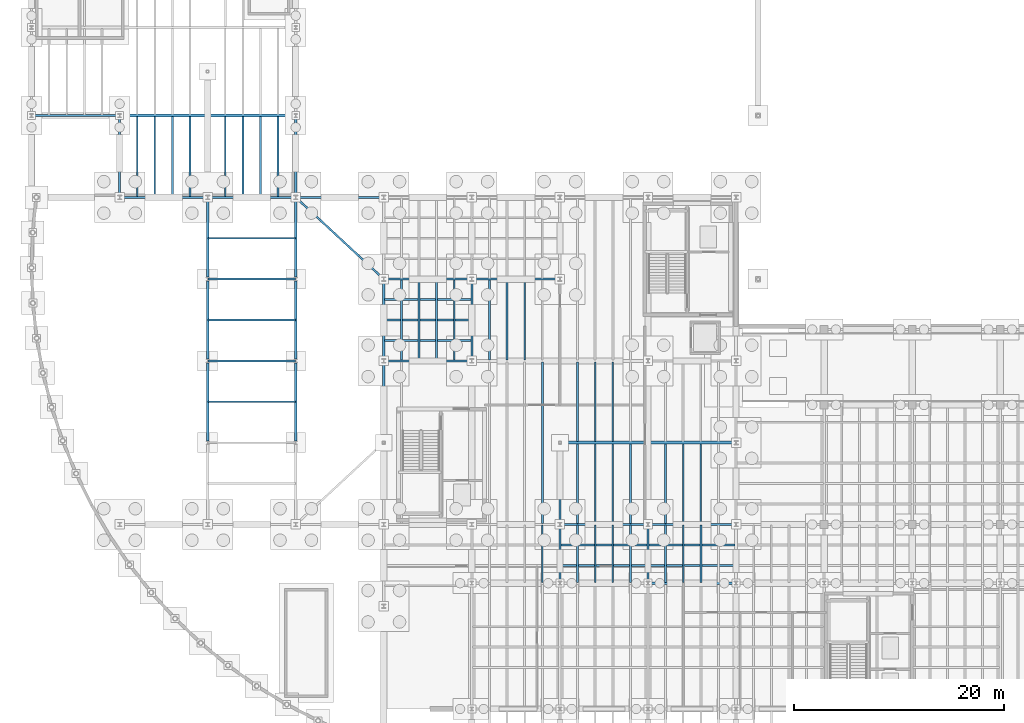
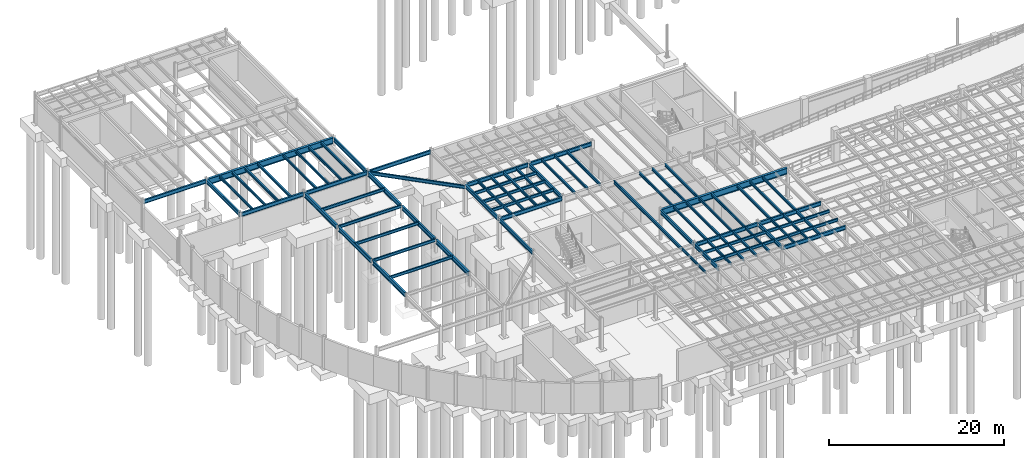
# One storey, part 25 of 41: 73 beams.
"""IFC4 building model written with IfcOpenShell, lengths in metres."""

from ifc_helpers import new_model, si_unit, direction, frame, origin, origin_2d, place, context, subcontext, project, spatial, i_section, extrude, material, material_profile, profile_set, type_object, element, save


model = new_model("IFC4")

# Units and contexts
model_context = context("Model", 3, precision=1e-05, world=origin(), true_north=direction((0.0, 1.0)))
body_context = subcontext(model_context, "Body", "Model", "MODEL_VIEW")
ifc_project = project(units=[si_unit("LENGTHUNIT", "METRE"), si_unit("AREAUNIT", "SQUARE_METRE"), si_unit("VOLUMEUNIT", "CUBIC_METRE"), si_unit("PLANEANGLEUNIT", "RADIAN"), si_unit("MASSUNIT", "GRAM", prefix="KILO")], contexts=[model_context])

# Site, building, storey
site_placement = place(None, origin())
site = spatial("IfcSite", under=ifc_project, at=site_placement, CompositionType="ELEMENT")
building_placement = place(site_placement, origin())
building = spatial("IfcBuilding", under=site, at=building_placement, Name="Selat Folded Stagehouse", CompositionType="ELEMENT")
storey_placement = place(building_placement, frame((0.0, 0.0, -4.5)))
storey = spatial("IfcBuildingStorey", under=building, at=storey_placement, Name="B1", CompositionType="ELEMENT", Elevation=-4.5)

# Beams
ifc_material = material(Name="Steel S355", Category="steel")
ifc_material_profile_1 = material_profile(ifc_material, i_section(OverallWidth=0.210693359375, OverallDepth=0.53955078125, WebThickness=0.01171875, FlangeThickness=0.018798828125, FilletRadius=0.0126953125, at=origin_2d()), Name="UKB 533x210x109")
ifc_profile_set_1 = profile_set([ifc_material_profile_1], Name="Steel S355")
beam_type_1 = type_object("IfcBeamType", Name="BM-GIRD-533x210x109", PredefinedType="BEAM", material=ifc_profile_set_1)
for number, where, z_axis, x_axis, name in (
    (1, (8.39990234375, 54.679931640625, 3.97021484375), (0.0, 1.0, 0.0), (-1.0, 0.0, 0.0), "B1 primary y-girder 0085"),
    (2, (25.199951171875, 54.679931640625, 3.97021484375), (0.0, 1.0, 0.0), (-1.0, 0.0, 0.0), "B1 primary y-girder 0087"),
):
    element("IfcBeam", number, at=place(storey_placement, frame(where, z_axis=z_axis, x_axis=x_axis)), inside=storey, type_object=beam_type_1, Name=name, PredefinedType="BEAM", context=body_context, shape_type="SweptSolid", body=[
        extrude(i_section(OverallWidth=0.210693359375, OverallDepth=0.53955078125, WebThickness=0.01171875, FlangeThickness=0.018798828125, FilletRadius=0.0126953125, at=origin_2d()), origin(), (0.0, 0.0, 1.0), 7.64013671875),
    ])
beam_1_placement = place(storey_placement, frame((33.60009765625, 31.27490234375, 3.9501953125), z_axis=(0.0, 1.0, 0.0), x_axis=(-1.0, 0.0, 0.0)))
element("IfcBeam", 3, at=beam_1_placement, inside=storey, type_object=beam_type_1, Name="B1 primary y-girder 0093", PredefinedType="BEAM", context=body_context, shape_type="SweptSolid", body=[
    extrude(i_section(OverallWidth=0.210693359375, OverallDepth=0.53955078125, WebThickness=0.01171875, FlangeThickness=0.018798828125, FilletRadius=0.0126953125, at=origin_2d()), origin(), (0.0, 0.0, 1.0), 7.64501953125),
])
for number, where, z_axis, x_axis, name in (
    (4, (33.60009765625, 39.080078125, 3.9501953125), (0.0, 1.0, 0.0), (-1.0, 0.0, 0.0), "B1 primary y-girder 0094"),
    (5, (42.0, 39.080078125, 3.9501953125), (0.0, 1.0, 0.0), (-1.0, 0.0, 0.0), "B1 primary y-girder 0099"),
):
    element("IfcBeam", number, at=place(storey_placement, frame(where, z_axis=z_axis, x_axis=x_axis)), inside=storey, type_object=beam_type_1, Name=name, PredefinedType="BEAM", context=body_context, shape_type="SweptSolid", body=[
        extrude(i_section(OverallWidth=0.210693359375, OverallDepth=0.53955078125, WebThickness=0.01171875, FlangeThickness=0.018798828125, FilletRadius=0.0126953125, at=origin_2d()), origin(), (0.0, 0.0, 1.0), 7.639892578125),
    ])
beam_2_placement = place(storey_placement, frame((50.39990234375, 17.8798828125, 3.980224609375), z_axis=(0.0, 1.0, 0.0), x_axis=(-1.0, 0.0, 0.0)))
element("IfcBeam", 6, at=beam_2_placement, inside=storey, type_object=beam_type_1, Name="B1 primary y-girder 0103", PredefinedType="BEAM", context=body_context, shape_type="SweptSolid", body=[
    extrude(i_section(OverallWidth=0.210693359375, OverallDepth=0.53955078125, WebThickness=0.01171875, FlangeThickness=0.018798828125, FilletRadius=0.0126953125, at=origin_2d()), origin(), (0.0, 0.0, 1.0), 5.440185546875),
])
beam_3_placement = place(storey_placement, frame((50.39990234375, 23.47998046875, 3.9501953125), z_axis=(0.0, 1.0, 0.0), x_axis=(-1.0, 0.0, 0.0)))
element("IfcBeam", 7, at=beam_3_placement, inside=storey, type_object=beam_type_1, Name="B1 primary y-girder 0104", PredefinedType="BEAM", context=body_context, shape_type="SweptSolid", body=[
    extrude(i_section(OverallWidth=0.210693359375, OverallDepth=0.53955078125, WebThickness=0.01171875, FlangeThickness=0.018798828125, FilletRadius=0.0126953125, at=origin_2d()), origin(), (0.0, 0.0, 1.0), 7.64501953125),
])
beam_4_placement = place(storey_placement, frame((58.800048828125, 17.8798828125, 3.980224609375), z_axis=(0.0, 1.0, 0.0), x_axis=(-1.0, 0.0, 0.0)))
element("IfcBeam", 8, at=beam_4_placement, inside=storey, type_object=beam_type_1, Name="B1 primary y-girder 0108", PredefinedType="BEAM", context=body_context, shape_type="SweptSolid", body=[
    extrude(i_section(OverallWidth=0.210693359375, OverallDepth=0.53955078125, WebThickness=0.01171875, FlangeThickness=0.018798828125, FilletRadius=0.0126953125, at=origin_2d()), origin(), (0.0, 0.0, 1.0), 5.440185546875),
])
ifc_material_profile_2 = material_profile(ifc_material, i_section(OverallWidth=0.209228515625, OverallDepth=0.533203125, WebThickness=0.010009765625, FlangeThickness=0.015625, FilletRadius=0.0126953125, at=origin_2d()), Name="UKB 533x210x92")
ifc_profile_set_2 = profile_set([ifc_material_profile_2], Name="Steel S355")
beam_type_2 = type_object("IfcBeamType", Name="BM-GIRD-533x210x92", PredefinedType="BEAM", material=ifc_profile_set_2)
beam_5_placement = place(storey_placement, frame((58.8798828125, 17.800048828125, 3.9833984375), z_axis=(1.0, 0.0, 0.0), x_axis=(0.0, 1.0, 0.0)))
element("IfcBeam", 9, at=beam_5_placement, inside=storey, type_object=beam_type_2, Name="B1 primary x-girder 0026", PredefinedType="BEAM", context=body_context, shape_type="SweptSolid", body=[
    extrude(i_section(OverallWidth=0.209228515625, OverallDepth=0.533203125, WebThickness=0.010009765625, FlangeThickness=0.015625, FilletRadius=0.0126953125, at=origin_2d()), origin(), (0.0, 0.0, 1.0), 8.240234375),
])
beam_6_placement = place(storey_placement, frame((50.47998046875, 23.39990234375, 3.953369140625), z_axis=(1.0, 0.0, 0.0), x_axis=(0.0, 1.0, 0.0)))
element("IfcBeam", 10, at=beam_6_placement, inside=storey, type_object=beam_type_2, Name="B1 primary x-girder 0038", PredefinedType="BEAM", context=body_context, shape_type="SweptSolid", body=[
    extrude(i_section(OverallWidth=0.209228515625, OverallDepth=0.533203125, WebThickness=0.010009765625, FlangeThickness=0.015625, FilletRadius=0.0126953125, at=origin_2d()), origin(), (0.0, 0.0, 1.0), 8.239990234375),
])
beam_7_placement = place(storey_placement, frame((58.8798828125, 23.39990234375, 3.953369140625), z_axis=(1.0, 0.0, 0.0), x_axis=(0.0, 1.0, 0.0)))
element("IfcBeam", 11, at=beam_7_placement, inside=storey, type_object=beam_type_2, Name="B1 primary x-girder 0039", PredefinedType="BEAM", context=body_context, shape_type="SweptSolid", body=[
    extrude(i_section(OverallWidth=0.209228515625, OverallDepth=0.533203125, WebThickness=0.010009765625, FlangeThickness=0.015625, FilletRadius=0.0126953125, at=origin_2d()), origin(), (0.0, 0.0, 1.0), 8.240234375),
])
for number, where, z_axis, x_axis, name in (
    (12, (33.679931640625, 39.0, 3.953369140625), (1.0, 0.0, 0.0), (0.0, 1.0, 0.0), "B1 primary x-girder 0058"),
    (13, (33.679931640625, 46.800048828125, 3.953369140625), (1.0, 0.0, 0.0), (0.0, 1.0, 0.0), "B1 primary x-girder 0066"),
    (14, (42.080078125, 46.800048828125, 3.953369140625), (1.0, 0.0, 0.0), (0.0, 1.0, 0.0), "B1 primary x-girder 0067"),
    (15, (8.47998046875, 54.60009765625, 3.973388671875), (1.0, 0.0, 0.0), (0.0, 1.0, 0.0), "B1 primary x-girder 0068"),
):
    element("IfcBeam", number, at=place(storey_placement, frame(where, z_axis=z_axis, x_axis=x_axis)), inside=storey, type_object=beam_type_2, Name=name, PredefinedType="BEAM", context=body_context, shape_type="SweptSolid", body=[
        extrude(i_section(OverallWidth=0.209228515625, OverallDepth=0.533203125, WebThickness=0.010009765625, FlangeThickness=0.015625, FilletRadius=0.0126953125, at=origin_2d()), origin(), (0.0, 0.0, 1.0), 8.239990234375),
    ])
beam_8_placement = place(storey_placement, frame((16.8798828125, 54.60009765625, 3.973388671875), z_axis=(1.0, 0.0, 0.0), x_axis=(0.0, 1.0, 0.0)))
element("IfcBeam", 16, at=beam_8_placement, inside=storey, type_object=beam_type_2, Name="B1 primary x-girder 0069", PredefinedType="BEAM", context=body_context, shape_type="SweptSolid", body=[
    extrude(i_section(OverallWidth=0.209228515625, OverallDepth=0.533203125, WebThickness=0.010009765625, FlangeThickness=0.015625, FilletRadius=0.0126953125, at=origin_2d()), origin(), (0.0, 0.0, 1.0), 8.240234375),
])
for number, where, z_axis, x_axis, name in (
    (17, (25.280029296875, 54.60009765625, 3.9833984375), (1.0, 0.0, 0.0), (0.0, 1.0, 0.0), "B1 primary x-girder 0070"),
    (18, (0.080078125, 62.39990234375, 3.973388671875), (1.0, 0.0, 0.0), (0.0, 1.0, 0.0), "B1 primary x-girder 0075"),
):
    element("IfcBeam", number, at=place(storey_placement, frame(where, z_axis=z_axis, x_axis=x_axis)), inside=storey, type_object=beam_type_2, Name=name, PredefinedType="BEAM", context=body_context, shape_type="SweptSolid", body=[
        extrude(i_section(OverallWidth=0.209228515625, OverallDepth=0.533203125, WebThickness=0.010009765625, FlangeThickness=0.015625, FilletRadius=0.0126953125, at=origin_2d()), origin(), (0.0, 0.0, 1.0), 8.239990234375),
    ])
ifc_material_profile_3 = material_profile(ifc_material, i_section(OverallWidth=0.230224609375, OverallDepth=0.6171875, WebThickness=0.01318359375, FlangeThickness=0.022216796875, FilletRadius=0.0126953125, at=origin_2d()), Name="UKB 610x229x140")
ifc_profile_set_3 = profile_set([ifc_material_profile_3], Name="Steel S355")
beam_type_3 = type_object("IfcBeamType", Name="BM-GIRD-610x229x140", PredefinedType="BEAM", material=ifc_profile_set_3)
for number, where, z_axis, x_axis, name in (
    (19, (16.800048828125, 31.3798828125, 3.94140625), (0.0, 1.0, 0.0), (-1.0, 0.0, 0.0), "B1 V1 sub-tier girder 168-312"),
    (20, (16.800048828125, 39.179931640625, 3.94140625), (0.0, 1.0, 0.0), (-1.0, 0.0, 0.0), "B1 V1 sub-tier girder 168-390"),
):
    element("IfcBeam", number, at=place(storey_placement, frame(where, z_axis=z_axis, x_axis=x_axis)), inside=storey, type_object=beam_type_3, Name=name, PredefinedType="BEAM", context=body_context, shape_type="SweptSolid", body=[
        extrude(i_section(OverallWidth=0.230224609375, OverallDepth=0.6171875, WebThickness=0.01318359375, FlangeThickness=0.022216796875, FilletRadius=0.0126953125, at=origin_2d()), origin(), (0.0, 0.0, 1.0), 7.440185546875),
    ])
beam_9_placement = place(storey_placement, frame((16.800048828125, 46.97998046875, 3.94140625), z_axis=(0.0, 1.0, 0.0), x_axis=(-1.0, 0.0, 0.0)))
element("IfcBeam", 21, at=beam_9_placement, inside=storey, type_object=beam_type_3, Name="B1 V1 sub-tier girder 168-468", PredefinedType="BEAM", context=body_context, shape_type="SweptSolid", body=[
    extrude(i_section(OverallWidth=0.230224609375, OverallDepth=0.6171875, WebThickness=0.01318359375, FlangeThickness=0.022216796875, FilletRadius=0.0126953125, at=origin_2d()), origin(), (0.0, 0.0, 1.0), 7.43994140625),
])
for number, where, z_axis, x_axis, name in (
    (22, (25.199951171875, 31.3798828125, 3.94140625), (0.0, 1.0, 0.0), (-1.0, 0.0, 0.0), "B1 V1 sub-tier girder 252-312"),
    (23, (25.199951171875, 39.179931640625, 3.94140625), (0.0, 1.0, 0.0), (-1.0, 0.0, 0.0), "B1 V1 sub-tier girder 252-390"),
):
    element("IfcBeam", number, at=place(storey_placement, frame(where, z_axis=z_axis, x_axis=x_axis)), inside=storey, type_object=beam_type_3, Name=name, PredefinedType="BEAM", context=body_context, shape_type="SweptSolid", body=[
        extrude(i_section(OverallWidth=0.230224609375, OverallDepth=0.6171875, WebThickness=0.01318359375, FlangeThickness=0.022216796875, FilletRadius=0.0126953125, at=origin_2d()), origin(), (0.0, 0.0, 1.0), 7.440185546875),
    ])
beam_10_placement = place(storey_placement, frame((25.199951171875, 46.97998046875, 3.94140625), z_axis=(0.0, 1.0, 0.0), x_axis=(-1.0, 0.0, 0.0)))
element("IfcBeam", 24, at=beam_10_placement, inside=storey, type_object=beam_type_3, Name="B1 V1 sub-tier girder 252-468", PredefinedType="BEAM", context=body_context, shape_type="SweptSolid", body=[
    extrude(i_section(OverallWidth=0.230224609375, OverallDepth=0.6171875, WebThickness=0.01318359375, FlangeThickness=0.022216796875, FilletRadius=0.0126953125, at=origin_2d()), origin(), (0.0, 0.0, 1.0), 7.43994140625),
])
ifc_material_profile_4 = material_profile(ifc_material, i_section(OverallWidth=0.293701171875, OverallDepth=0.850830078125, WebThickness=0.01611328125, FlangeThickness=0.02685546875, FilletRadius=0.017822265625, at=origin_2d()), Name="UKB 838x292x226")
ifc_profile_set_4 = profile_set([ifc_material_profile_4], Name="Steel S355")
beam_type_4 = type_object("IfcBeamType", Name="BM-LONG-838x292x226", PredefinedType="BEAM", material=ifc_profile_set_4)
beam_11_placement = place(storey_placement, frame((50.47509765625, 31.199951171875, 3.79443359375), z_axis=(1.0, 0.0, 0.0), x_axis=(0.0, 1.0, 0.0)))
element("IfcBeam", 25, at=beam_11_placement, inside=storey, type_object=beam_type_4, Name="B1 primary x-girder 0049", PredefinedType="BEAM", context=body_context, shape_type="SweptSolid", body=[
    extrude(i_section(OverallWidth=0.293701171875, OverallDepth=0.850830078125, WebThickness=0.01611328125, FlangeThickness=0.02685546875, FilletRadius=0.017822265625, at=origin_2d()), origin(), (0.0, 0.0, 1.0), 16.64501953125),
])
beam_12_placement = place(storey_placement, frame((8.47998046875, 62.39990234375, 3.814453125), z_axis=(1.0, 0.0, 0.0), x_axis=(0.0, 1.0, 0.0)))
element("IfcBeam", 26, at=beam_12_placement, inside=storey, type_object=beam_type_4, Name="B1 primary x-girder 0076", PredefinedType="BEAM", context=body_context, shape_type="SweptSolid", body=[
    extrude(i_section(OverallWidth=0.293701171875, OverallDepth=0.850830078125, WebThickness=0.01611328125, FlangeThickness=0.02685546875, FilletRadius=0.017822265625, at=origin_2d()), origin(), (0.0, 0.0, 1.0), 16.64013671875),
])
ifc_material_profile_5 = material_profile(ifc_material, i_section(OverallWidth=0.19140625, OverallDepth=0.4599609375, WebThickness=0.010009765625, FlangeThickness=0.01611328125, FilletRadius=0.01025390625, at=origin_2d()), Name="UKB 457x191x82")
ifc_profile_set_5 = profile_set([ifc_material_profile_5], Name="Steel S355")
beam_type_5 = type_object("IfcBeamType", Name="BM-RAKER-457x191x82", PredefinedType="BEAM", material=ifc_profile_set_5)
beam_13_placement = place(storey_placement, frame((33.60009765625, 46.800048828125, 3.75), z_axis=(-0.732649850048, 0.680310113035, 0.020058597342), x_axis=(-0.680447014825, -0.732797284394, 0.0)))
element("IfcBeam", 27, at=beam_13_placement, inside=storey, type_object=beam_type_5, Name="B1 stalls radial raker beam N", PredefinedType="BEAM", context=body_context, shape_type="SweptSolid", body=[
    extrude(i_section(OverallWidth=0.19140625, OverallDepth=0.4599609375, WebThickness=0.010009765625, FlangeThickness=0.01611328125, FilletRadius=0.01025390625, at=origin_2d()), origin(), (0.0, 0.0, 1.0), 11.46533203125),
])
ifc_material_profile_6 = material_profile(ifc_material, i_section(OverallWidth=0.17138671875, OverallDepth=0.35498046875, WebThickness=0.00732421875, FlangeThickness=0.011474609375, FilletRadius=0.01025390625, at=origin_2d()), Name="UKB 356x171x51")
ifc_profile_set_6 = profile_set([ifc_material_profile_6], Name="Steel S355")
beam_type_6 = type_object("IfcBeamType", Name="JST-356x171x51", PredefinedType="JOIST", material=ifc_profile_set_6)
for number, where, z_axis, x_axis, name in (
    (28, (10.080078125, 54.67333984375, 4.0625), (0.0, 1.0, 0.0), (-1.0, 0.0, 0.0), "B1 secondary floor joist 0160"),
    (29, (11.760009765625, 54.67333984375, 4.0625), (0.0, 1.0, 0.0), (-1.0, 0.0, 0.0), "B1 secondary floor joist 0163"),
    (30, (13.43994140625, 54.67333984375, 4.0625), (0.0, 1.0, 0.0), (-1.0, 0.0, 0.0), "B1 secondary floor joist 0166"),
    (31, (15.1201171875, 54.67333984375, 4.0625), (0.0, 1.0, 0.0), (-1.0, 0.0, 0.0), "B1 secondary floor joist 0169"),
    (32, (18.47998046875, 54.67333984375, 4.0625), (0.0, 1.0, 0.0), (-1.0, 0.0, 0.0), "B1 secondary floor joist 0172"),
    (33, (20.159912109375, 54.67333984375, 4.0625), (0.0, 1.0, 0.0), (-1.0, 0.0, 0.0), "B1 secondary floor joist 0176"),
    (34, (21.840087890625, 54.67333984375, 4.0625), (0.0, 1.0, 0.0), (-1.0, 0.0, 0.0), "B1 secondary floor joist 0180"),
    (35, (23.52001953125, 54.67333984375, 4.0625), (0.0, 1.0, 0.0), (-1.0, 0.0, 0.0), "B1 secondary floor joist 0183"),
):
    element("IfcBeam", number, at=place(storey_placement, frame(where, z_axis=z_axis, x_axis=x_axis)), inside=storey, type_object=beam_type_6, Name=name, PredefinedType="JOIST", context=body_context, shape_type="SweptSolid", body=[
        extrude(i_section(OverallWidth=0.17138671875, OverallDepth=0.35498046875, WebThickness=0.00732421875, FlangeThickness=0.011474609375, FilletRadius=0.01025390625, at=origin_2d()), origin(), (0.0, 0.0, 1.0), 7.623779296875),
    ])
beam_14_placement = place(storey_placement, frame((40.320068359375, 39.0732421875, 4.04248046875), z_axis=(0.0, 1.0, 0.0), x_axis=(-1.0, 0.0, 0.0)))
element("IfcBeam", 36, at=beam_14_placement, inside=storey, type_object=beam_type_6, Name="B1 secondary floor joist 0193", PredefinedType="JOIST", context=body_context, shape_type="SweptSolid", body=[
    extrude(i_section(OverallWidth=0.17138671875, OverallDepth=0.35498046875, WebThickness=0.00732421875, FlangeThickness=0.011474609375, FilletRadius=0.01025390625, at=origin_2d()), origin(), (0.0, 0.0, 1.0), 7.653564453125),
])
for number, where, z_axis, x_axis, name in (
    (37, (43.679931640625, 39.102783203125, 4.04248046875), (0.0, 1.0, 0.0), (-1.0, 0.0, 0.0), "B1 secondary floor joist 0199"),
    (38, (45.360107421875, 39.102783203125, 4.04248046875), (0.0, 1.0, 0.0), (-1.0, 0.0, 0.0), "B1 secondary floor joist 0205"),
):
    element("IfcBeam", number, at=place(storey_placement, frame(where, z_axis=z_axis, x_axis=x_axis)), inside=storey, type_object=beam_type_6, Name=name, PredefinedType="JOIST", context=body_context, shape_type="SweptSolid", body=[
        extrude(i_section(OverallWidth=0.17138671875, OverallDepth=0.35498046875, WebThickness=0.00732421875, FlangeThickness=0.011474609375, FilletRadius=0.01025390625, at=origin_2d()), origin(), (0.0, 0.0, 1.0), 7.6240234375),
    ])
for number, where, z_axis, x_axis, name in (
    (39, (48.719970703125, 17.873291015625, 4.04248046875), (0.0, 1.0, 0.0), (-1.0, 0.0, 0.0), "B1 secondary floor joist 0215"),
    (40, (52.080078125, 17.873291015625, 4.04248046875), (0.0, 1.0, 0.0), (-1.0, 0.0, 0.0), "B1 secondary floor joist 0221"),
):
    element("IfcBeam", number, at=place(storey_placement, frame(where, z_axis=z_axis, x_axis=x_axis)), inside=storey, type_object=beam_type_6, Name=name, PredefinedType="JOIST", context=body_context, shape_type="SweptSolid", body=[
        extrude(i_section(OverallWidth=0.17138671875, OverallDepth=0.35498046875, WebThickness=0.00732421875, FlangeThickness=0.011474609375, FilletRadius=0.01025390625, at=origin_2d()), origin(), (0.0, 0.0, 1.0), 5.453369140625),
    ])
beam_15_placement = place(storey_placement, frame((52.080078125, 23.473388671875, 4.04248046875), z_axis=(0.0, 1.0, 0.0), x_axis=(-1.0, 0.0, 0.0)))
element("IfcBeam", 41, at=beam_15_placement, inside=storey, type_object=beam_type_6, Name="B1 secondary floor joist 0222", PredefinedType="JOIST", context=body_context, shape_type="SweptSolid", body=[
    extrude(i_section(OverallWidth=0.17138671875, OverallDepth=0.35498046875, WebThickness=0.00732421875, FlangeThickness=0.011474609375, FilletRadius=0.01025390625, at=origin_2d()), origin(), (0.0, 0.0, 1.0), 7.623779296875),
])
beam_16_placement = place(storey_placement, frame((52.080078125, 31.302734375, 4.04248046875), z_axis=(0.0, 1.0, 0.0), x_axis=(-1.0, 0.0, 0.0)))
element("IfcBeam", 42, at=beam_16_placement, inside=storey, type_object=beam_type_6, Name="B1 secondary floor joist 0223", PredefinedType="JOIST", context=body_context, shape_type="SweptSolid", body=[
    extrude(i_section(OverallWidth=0.17138671875, OverallDepth=0.35498046875, WebThickness=0.00732421875, FlangeThickness=0.011474609375, FilletRadius=0.01025390625, at=origin_2d()), origin(), (0.0, 0.0, 1.0), 7.594482421875),
])
beam_17_placement = place(storey_placement, frame((53.760009765625, 17.873291015625, 4.04248046875), z_axis=(0.0, 1.0, 0.0), x_axis=(-1.0, 0.0, 0.0)))
element("IfcBeam", 43, at=beam_17_placement, inside=storey, type_object=beam_type_6, Name="B1 secondary floor joist 0227", PredefinedType="JOIST", context=body_context, shape_type="SweptSolid", body=[
    extrude(i_section(OverallWidth=0.17138671875, OverallDepth=0.35498046875, WebThickness=0.00732421875, FlangeThickness=0.011474609375, FilletRadius=0.01025390625, at=origin_2d()), origin(), (0.0, 0.0, 1.0), 5.453369140625),
])
beam_18_placement = place(storey_placement, frame((53.760009765625, 23.473388671875, 4.04248046875), z_axis=(0.0, 1.0, 0.0), x_axis=(-1.0, 0.0, 0.0)))
element("IfcBeam", 44, at=beam_18_placement, inside=storey, type_object=beam_type_6, Name="B1 secondary floor joist 0228", PredefinedType="JOIST", context=body_context, shape_type="SweptSolid", body=[
    extrude(i_section(OverallWidth=0.17138671875, OverallDepth=0.35498046875, WebThickness=0.00732421875, FlangeThickness=0.011474609375, FilletRadius=0.01025390625, at=origin_2d()), origin(), (0.0, 0.0, 1.0), 7.623779296875),
])
beam_19_placement = place(storey_placement, frame((53.760009765625, 31.302734375, 4.04248046875), z_axis=(0.0, 1.0, 0.0), x_axis=(-1.0, 0.0, 0.0)))
element("IfcBeam", 45, at=beam_19_placement, inside=storey, type_object=beam_type_6, Name="B1 secondary floor joist 0229", PredefinedType="JOIST", context=body_context, shape_type="SweptSolid", body=[
    extrude(i_section(OverallWidth=0.17138671875, OverallDepth=0.35498046875, WebThickness=0.00732421875, FlangeThickness=0.011474609375, FilletRadius=0.01025390625, at=origin_2d()), origin(), (0.0, 0.0, 1.0), 7.594482421875),
])
beam_20_placement = place(storey_placement, frame((55.43994140625, 17.873291015625, 4.04248046875), z_axis=(0.0, 1.0, 0.0), x_axis=(-1.0, 0.0, 0.0)))
element("IfcBeam", 46, at=beam_20_placement, inside=storey, type_object=beam_type_6, Name="B1 secondary floor joist 0233", PredefinedType="JOIST", context=body_context, shape_type="SweptSolid", body=[
    extrude(i_section(OverallWidth=0.17138671875, OverallDepth=0.35498046875, WebThickness=0.00732421875, FlangeThickness=0.011474609375, FilletRadius=0.01025390625, at=origin_2d()), origin(), (0.0, 0.0, 1.0), 5.453369140625),
])
beam_21_placement = place(storey_placement, frame((55.43994140625, 23.473388671875, 4.04248046875), z_axis=(0.0, 1.0, 0.0), x_axis=(-1.0, 0.0, 0.0)))
element("IfcBeam", 47, at=beam_21_placement, inside=storey, type_object=beam_type_6, Name="B1 secondary floor joist 0234", PredefinedType="JOIST", context=body_context, shape_type="SweptSolid", body=[
    extrude(i_section(OverallWidth=0.17138671875, OverallDepth=0.35498046875, WebThickness=0.00732421875, FlangeThickness=0.011474609375, FilletRadius=0.01025390625, at=origin_2d()), origin(), (0.0, 0.0, 1.0), 7.623779296875),
])
beam_22_placement = place(storey_placement, frame((55.43994140625, 31.302734375, 4.04248046875), z_axis=(0.0, 1.0, 0.0), x_axis=(-1.0, 0.0, 0.0)))
element("IfcBeam", 48, at=beam_22_placement, inside=storey, type_object=beam_type_6, Name="B1 secondary floor joist 0235", PredefinedType="JOIST", context=body_context, shape_type="SweptSolid", body=[
    extrude(i_section(OverallWidth=0.17138671875, OverallDepth=0.35498046875, WebThickness=0.00732421875, FlangeThickness=0.011474609375, FilletRadius=0.01025390625, at=origin_2d()), origin(), (0.0, 0.0, 1.0), 7.594482421875),
])
beam_23_placement = place(storey_placement, frame((57.1201171875, 17.873291015625, 4.04248046875), z_axis=(0.0, 1.0, 0.0), x_axis=(-1.0, 0.0, 0.0)))
element("IfcBeam", 49, at=beam_23_placement, inside=storey, type_object=beam_type_6, Name="B1 secondary floor joist 0239", PredefinedType="JOIST", context=body_context, shape_type="SweptSolid", body=[
    extrude(i_section(OverallWidth=0.17138671875, OverallDepth=0.35498046875, WebThickness=0.00732421875, FlangeThickness=0.011474609375, FilletRadius=0.01025390625, at=origin_2d()), origin(), (0.0, 0.0, 1.0), 5.453369140625),
])
beam_24_placement = place(storey_placement, frame((57.1201171875, 23.473388671875, 4.04248046875), z_axis=(0.0, 1.0, 0.0), x_axis=(-1.0, 0.0, 0.0)))
element("IfcBeam", 50, at=beam_24_placement, inside=storey, type_object=beam_type_6, Name="B1 secondary floor joist 0240", PredefinedType="JOIST", context=body_context, shape_type="SweptSolid", body=[
    extrude(i_section(OverallWidth=0.17138671875, OverallDepth=0.35498046875, WebThickness=0.00732421875, FlangeThickness=0.011474609375, FilletRadius=0.01025390625, at=origin_2d()), origin(), (0.0, 0.0, 1.0), 7.623779296875),
])
beam_25_placement = place(storey_placement, frame((60.47998046875, 17.873291015625, 4.04248046875), z_axis=(0.0, 1.0, 0.0), x_axis=(-1.0, 0.0, 0.0)))
element("IfcBeam", 51, at=beam_25_placement, inside=storey, type_object=beam_type_6, Name="B1 secondary floor joist 0245", PredefinedType="JOIST", context=body_context, shape_type="SweptSolid", body=[
    extrude(i_section(OverallWidth=0.17138671875, OverallDepth=0.35498046875, WebThickness=0.00732421875, FlangeThickness=0.011474609375, FilletRadius=0.01025390625, at=origin_2d()), origin(), (0.0, 0.0, 1.0), 5.453369140625),
])
beam_26_placement = place(storey_placement, frame((60.47998046875, 23.473388671875, 4.04248046875), z_axis=(0.0, 1.0, 0.0), x_axis=(-1.0, 0.0, 0.0)))
element("IfcBeam", 52, at=beam_26_placement, inside=storey, type_object=beam_type_6, Name="B1 secondary floor joist 0246", PredefinedType="JOIST", context=body_context, shape_type="SweptSolid", body=[
    extrude(i_section(OverallWidth=0.17138671875, OverallDepth=0.35498046875, WebThickness=0.00732421875, FlangeThickness=0.011474609375, FilletRadius=0.01025390625, at=origin_2d()), origin(), (0.0, 0.0, 1.0), 7.623779296875),
])
beam_27_placement = place(storey_placement, frame((62.159912109375, 17.873291015625, 4.04248046875), z_axis=(0.0, 1.0, 0.0), x_axis=(-1.0, 0.0, 0.0)))
element("IfcBeam", 53, at=beam_27_placement, inside=storey, type_object=beam_type_6, Name="B1 secondary floor joist 0250", PredefinedType="JOIST", context=body_context, shape_type="SweptSolid", body=[
    extrude(i_section(OverallWidth=0.17138671875, OverallDepth=0.35498046875, WebThickness=0.00732421875, FlangeThickness=0.011474609375, FilletRadius=0.01025390625, at=origin_2d()), origin(), (0.0, 0.0, 1.0), 5.453369140625),
])
for number, where, z_axis, x_axis, name in (
    (54, (62.159912109375, 23.473388671875, 4.04248046875), (0.0, 1.0, 0.0), (-1.0, 0.0, 0.0), "B1 secondary floor joist 0251"),
    (55, (63.840087890625, 23.473388671875, 4.04248046875), (0.0, 1.0, 0.0), (-1.0, 0.0, 0.0), "B1 secondary floor joist 0256"),
):
    element("IfcBeam", number, at=place(storey_placement, frame(where, z_axis=z_axis, x_axis=x_axis)), inside=storey, type_object=beam_type_6, Name=name, PredefinedType="JOIST", context=body_context, shape_type="SweptSolid", body=[
        extrude(i_section(OverallWidth=0.17138671875, OverallDepth=0.35498046875, WebThickness=0.00732421875, FlangeThickness=0.011474609375, FilletRadius=0.01025390625, at=origin_2d()), origin(), (0.0, 0.0, 1.0), 7.623779296875),
    ])
ifc_material_profile_7 = material_profile(ifc_material, i_section(OverallWidth=0.177978515625, OverallDepth=0.406494140625, WebThickness=0.0078125, FlangeThickness=0.0126953125, FilletRadius=0.01025390625, at=origin_2d()), Name="UKB 406x178x60")
ifc_profile_set_7 = profile_set([ifc_material_profile_7], Name="Steel S355")
beam_type_7 = type_object("IfcBeamType", Name="JST-406x178x60", PredefinedType="JOIST", material=ifc_profile_set_7)
for number, where, z_axis, x_axis, name in (
    (56, (35.280029296875, 39.0732421875, 4.016845703125), (0.0, 1.0, 0.0), (-1.0, 0.0, 0.0), "B1 secondary floor joist 0187"),
    (57, (36.9599609375, 39.0732421875, 4.016845703125), (0.0, 1.0, 0.0), (-1.0, 0.0, 0.0), "B1 secondary floor joist 0189"),
    (58, (38.639892578125, 39.0732421875, 4.016845703125), (0.0, 1.0, 0.0), (-1.0, 0.0, 0.0), "B1 secondary floor joist 0191"),
):
    element("IfcBeam", number, at=place(storey_placement, frame(where, z_axis=z_axis, x_axis=x_axis)), inside=storey, type_object=beam_type_7, Name=name, PredefinedType="JOIST", context=body_context, shape_type="SweptSolid", body=[
        extrude(i_section(OverallWidth=0.177978515625, OverallDepth=0.406494140625, WebThickness=0.0078125, FlangeThickness=0.0126953125, FilletRadius=0.01025390625, at=origin_2d()), origin(), (0.0, 0.0, 1.0), 7.653564453125),
    ])
beam_28_placement = place(storey_placement, frame((47.0400390625, 39.102783203125, 4.016845703125), z_axis=(0.0, 1.0, 0.0), x_axis=(-1.0, 0.0, 0.0)))
element("IfcBeam", 59, at=beam_28_placement, inside=storey, type_object=beam_type_7, Name="B1 secondary floor joist 0211", PredefinedType="JOIST", context=body_context, shape_type="SweptSolid", body=[
    extrude(i_section(OverallWidth=0.177978515625, OverallDepth=0.406494140625, WebThickness=0.0078125, FlangeThickness=0.0126953125, FilletRadius=0.01025390625, at=origin_2d()), origin(), (0.0, 0.0, 1.0), 7.6240234375),
])
beam_29_placement = place(storey_placement, frame((50.473876953125, 19.5, 4.046875), z_axis=(1.0, 0.0, 0.0), x_axis=(0.0, 1.0, 0.0)))
element("IfcBeam", 60, at=beam_29_placement, inside=storey, type_object=beam_type_7, Name="B1 secondary x-joist 0431", PredefinedType="JOIST", context=body_context, shape_type="SweptSolid", body=[
    extrude(i_section(OverallWidth=0.177978515625, OverallDepth=0.406494140625, WebThickness=0.0078125, FlangeThickness=0.0126953125, FilletRadius=0.01025390625, at=origin_2d()), origin(), (0.0, 0.0, 1.0), 8.25244140625),
])
beam_30_placement = place(storey_placement, frame((58.873779296875, 19.5, 4.046875), z_axis=(1.0, 0.0, 0.0), x_axis=(0.0, 1.0, 0.0)))
element("IfcBeam", 61, at=beam_30_placement, inside=storey, type_object=beam_type_7, Name="B1 secondary x-joist 0432", PredefinedType="JOIST", context=body_context, shape_type="SweptSolid", body=[
    extrude(i_section(OverallWidth=0.177978515625, OverallDepth=0.406494140625, WebThickness=0.0078125, FlangeThickness=0.0126953125, FilletRadius=0.01025390625, at=origin_2d()), origin(), (0.0, 0.0, 1.0), 8.232421875),
])
beam_31_placement = place(storey_placement, frame((50.473876953125, 21.449951171875, 4.046875), z_axis=(1.0, 0.0, 0.0), x_axis=(0.0, 1.0, 0.0)))
element("IfcBeam", 62, at=beam_31_placement, inside=storey, type_object=beam_type_7, Name="B1 secondary x-joist 0441", PredefinedType="JOIST", context=body_context, shape_type="SweptSolid", body=[
    extrude(i_section(OverallWidth=0.177978515625, OverallDepth=0.406494140625, WebThickness=0.0078125, FlangeThickness=0.0126953125, FilletRadius=0.01025390625, at=origin_2d()), origin(), (0.0, 0.0, 1.0), 8.25244140625),
])
beam_32_placement = place(storey_placement, frame((58.873779296875, 21.449951171875, 4.046875), z_axis=(1.0, 0.0, 0.0), x_axis=(0.0, 1.0, 0.0)))
element("IfcBeam", 63, at=beam_32_placement, inside=storey, type_object=beam_type_7, Name="B1 secondary x-joist 0442", PredefinedType="JOIST", context=body_context, shape_type="SweptSolid", body=[
    extrude(i_section(OverallWidth=0.177978515625, OverallDepth=0.406494140625, WebThickness=0.0078125, FlangeThickness=0.0126953125, FilletRadius=0.01025390625, at=origin_2d()), origin(), (0.0, 0.0, 1.0), 8.232421875),
])
for number, where, z_axis, x_axis, name in (
    (64, (33.673828125, 40.949951171875, 4.016845703125), (1.0, 0.0, 0.0), (0.0, 1.0, 0.0), "B1 secondary x-joist 0482"),
    (65, (33.673828125, 42.89990234375, 4.016845703125), (1.0, 0.0, 0.0), (0.0, 1.0, 0.0), "B1 secondary x-joist 0483"),
    (66, (33.673828125, 44.85009765625, 4.016845703125), (1.0, 0.0, 0.0), (0.0, 1.0, 0.0), "B1 secondary x-joist 0484"),
):
    element("IfcBeam", number, at=place(storey_placement, frame(where, z_axis=z_axis, x_axis=x_axis)), inside=storey, type_object=beam_type_7, Name=name, PredefinedType="JOIST", context=body_context, shape_type="SweptSolid", body=[
        extrude(i_section(OverallWidth=0.177978515625, OverallDepth=0.406494140625, WebThickness=0.0078125, FlangeThickness=0.0126953125, FilletRadius=0.01025390625, at=origin_2d()), origin(), (0.0, 0.0, 1.0), 8.25244140625),
    ])
for number, where, z_axis, x_axis, name in (
    (67, (16.820068359375, 35.10009765625, 4.046875), (1.0, 0.0, 0.0), (0.0, 1.0, 0.0), "B1 V1 sub-tier joist 351"),
    (68, (16.820068359375, 39.0, 4.046875), (1.0, 0.0, 0.0), (0.0, 1.0, 0.0), "B1 V1 sub-tier joist 390"),
    (69, (16.820068359375, 42.89990234375, 4.046875), (1.0, 0.0, 0.0), (0.0, 1.0, 0.0), "B1 V1 sub-tier joist 429"),
    (70, (16.820068359375, 46.800048828125, 4.046875), (1.0, 0.0, 0.0), (0.0, 1.0, 0.0), "B1 V1 sub-tier joist 468"),
    (71, (16.820068359375, 50.699951171875, 4.046875), (1.0, 0.0, 0.0), (0.0, 1.0, 0.0), "B1 V1 sub-tier joist 507"),
):
    element("IfcBeam", number, at=place(storey_placement, frame(where, z_axis=z_axis, x_axis=x_axis)), inside=storey, type_object=beam_type_7, Name=name, PredefinedType="JOIST", context=body_context, shape_type="SweptSolid", body=[
        extrude(i_section(OverallWidth=0.177978515625, OverallDepth=0.406494140625, WebThickness=0.0078125, FlangeThickness=0.0126953125, FilletRadius=0.01025390625, at=origin_2d()), origin(), (0.0, 0.0, 1.0), 8.35986328125),
    ])
ifc_material_profile_8 = material_profile(ifc_material, i_section(OverallWidth=0.18994140625, OverallDepth=0.453369140625, WebThickness=0.008544921875, FlangeThickness=0.0126953125, FilletRadius=0.01025390625, at=origin_2d()), Name="UKB 457x191x67")
ifc_profile_set_8 = profile_set([ifc_material_profile_8], Name="Steel S355")
beam_type_8 = type_object("IfcBeamType", Name="JST-457x191x67", PredefinedType="JOIST", material=ifc_profile_set_8)
beam_33_placement = place(storey_placement, frame((48.719970703125, 23.473388671875, 3.993408203125), z_axis=(0.0, 1.0, 0.0), x_axis=(-1.0, 0.0, 0.0)))
element("IfcBeam", 72, at=beam_33_placement, inside=storey, type_object=beam_type_8, Name="B1 secondary floor joist 0216", PredefinedType="JOIST", context=body_context, shape_type="SweptSolid", body=[
    extrude(i_section(OverallWidth=0.18994140625, OverallDepth=0.453369140625, WebThickness=0.008544921875, FlangeThickness=0.0126953125, FilletRadius=0.01025390625, at=origin_2d()), origin(), (0.0, 0.0, 1.0), 15.423828125),
])
beam_34_placement = place(storey_placement, frame((63.840087890625, 17.873291015625, 3.993408203125), z_axis=(0.0, 1.0, 0.0), x_axis=(-1.0, 0.0, 0.0)))
element("IfcBeam", 73, at=beam_34_placement, inside=storey, type_object=beam_type_8, Name="B1 secondary floor joist 0255", PredefinedType="JOIST", context=body_context, shape_type="SweptSolid", body=[
    extrude(i_section(OverallWidth=0.18994140625, OverallDepth=0.453369140625, WebThickness=0.008544921875, FlangeThickness=0.0126953125, FilletRadius=0.01025390625, at=origin_2d()), origin(), (0.0, 0.0, 1.0), 5.453369140625),
])

save(model, "model.ifc")
